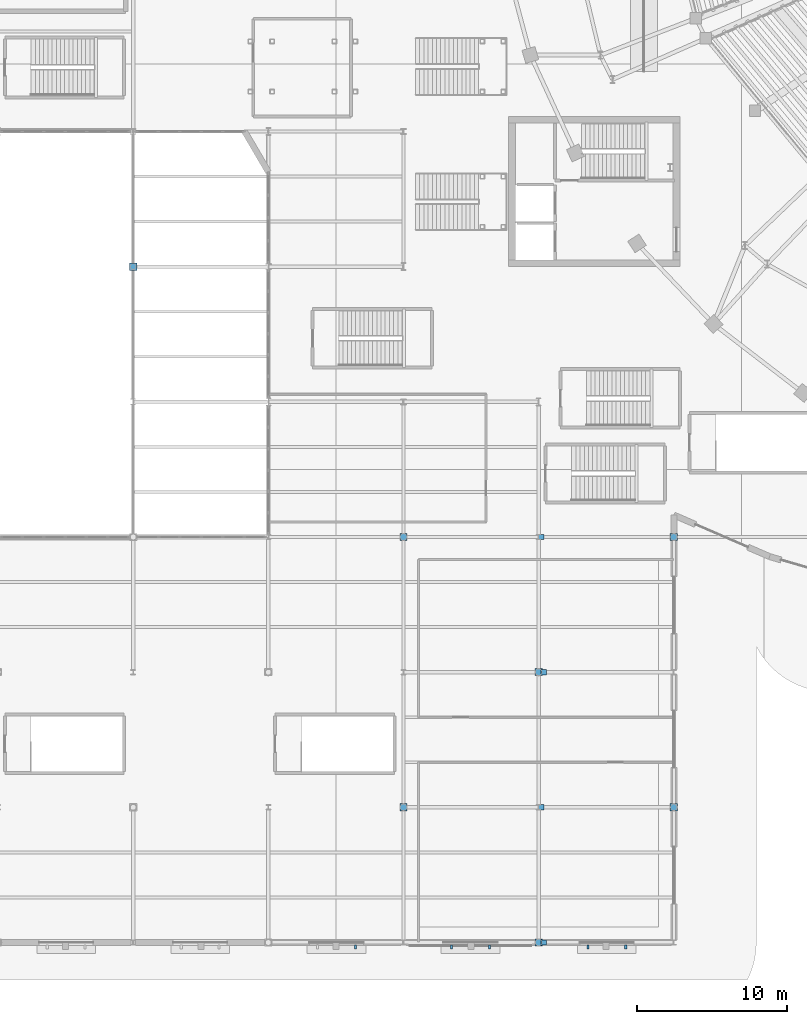
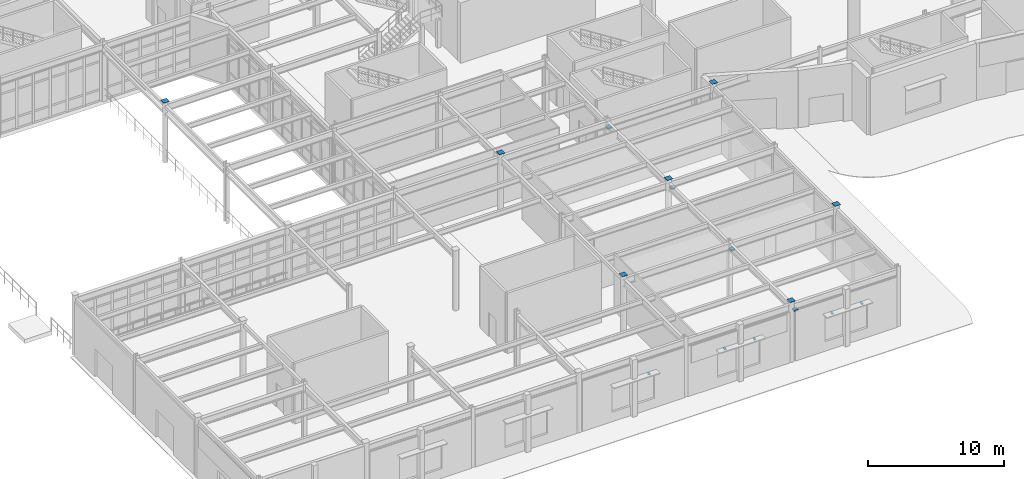
# One storey, part 61 of 79: 16 discrete accessories.
"""IFC4 building model written with IfcOpenShell, lengths in metres."""

import ifcopenshell
import ifcopenshell.guid

model = None  # the IFC model being written
_history = None  # IfcOwnerHistory: only IFC2X3 demands one
_inside = {}  # id of a spatial element -> (the spatial element, [elements in it])
_under = {}  # id of a project, library or spatial element -> (it, [spatial elements below it])
_declared = {}  # id of a project -> (the project, [libraries it declares])
_typed = {}  # id of a type object -> (the type object, [elements of that type])
_made_of = {}  # id of a material, layer set ... -> (it, [elements and type objects made of it])


def new_model(schema):
    """Start an empty IFC model of exactly this schema.

    Asked for "IFC4X3", IfcOpenShell would pick the latest addendum, in which some entities
    have other attributes; the version numbers below select the first issue.
    IFC2X3 requires an IfcOwnerHistory on every rooted entity: one is made here for all.
    """
    global model, _history
    if schema == "IFC4X3":
        model = ifcopenshell.file(schema_version=(4, 3, 0, 0))
    else:
        model = ifcopenshell.file(schema=schema)
    _inside.clear()
    _under.clear()
    _declared.clear()
    _typed.clear()
    _made_of.clear()
    _history = None
    if model.schema == "IFC2X3":
        org = make("IfcOrganization", Name="unknown")
        user = make(
            "IfcPersonAndOrganization",
            ThePerson=make("IfcPerson", FamilyName="unknown"),
            TheOrganization=org,
        )
        app = make(
            "IfcApplication",
            ApplicationDeveloper=org,
            Version="unknown",
            ApplicationFullName="unknown",
            ApplicationIdentifier="unknown",
        )
        _history = make(
            "IfcOwnerHistory",
            OwningUser=user,
            OwningApplication=app,
            ChangeAction="ADDED",
            CreationDate=0,
        )
    return model


def make(cls, **values):
    """One entity of the class cls with the attributes given. An attribute that is None is left unset."""
    return model.create_entity(
        cls, **{name: value for name, value in values.items() if value is not None}
    )


def rooted(cls, **values):
    """An entity with a GlobalId (a new one), such as an element, a storey or a relation."""
    return make(cls, GlobalId=ifcopenshell.guid.new(), OwnerHistory=_history, **values)


def si_unit(unit_type, name, prefix=None):
    """IfcSIUnit, for example si_unit("LENGTHUNIT", "METRE", prefix="MILLI")."""
    return make("IfcSIUnit", UnitType=unit_type, Prefix=prefix, Name=name)


def assignment(units):
    """IfcUnitAssignment: the units of a project."""
    return None if units is None else make("IfcUnitAssignment", Units=units)


def point(xyz):
    """IfcCartesianPoint."""
    return None if xyz is None else make("IfcCartesianPoint", Coordinates=xyz)


def direction(xyz):
    """IfcDirection."""
    return None if xyz is None else make("IfcDirection", DirectionRatios=xyz)


def frame(location, z_axis=None, x_axis=None):
    """IfcAxis2Placement3D, a coordinate frame: its origin and axes. An axis left out is left unset."""
    return make(
        "IfcAxis2Placement3D",
        Location=point(location),
        Axis=direction(z_axis),
        RefDirection=direction(x_axis),
    )


def frame_2d(location, x_axis=None):
    """IfcAxis2Placement2D, a coordinate frame in the plane: its origin and x axis."""
    return make(
        "IfcAxis2Placement2D", Location=point(location), RefDirection=direction(x_axis)
    )


def origin():
    """The frame at (0, 0, 0) with its axes left unset."""
    return frame((0.0, 0.0, 0.0))


def origin_2d():
    """The frame at (0, 0) in the plane with its x axis left unset."""
    return frame_2d((0.0, 0.0))


def place(relative_to, where):
    """IfcLocalPlacement: puts the frame where relative to a parent placement (None: the world)."""
    return make(
        "IfcLocalPlacement", PlacementRelTo=relative_to, RelativePlacement=where
    )


def context(
    kind, dimensions, precision=None, world=None, true_north=None, identifier=None
):
    """IfcGeometricRepresentationContext, for example the 3D "Model" context."""
    return make(
        "IfcGeometricRepresentationContext",
        ContextIdentifier=identifier,
        ContextType=kind,
        CoordinateSpaceDimension=dimensions,
        Precision=precision,
        WorldCoordinateSystem=world,
        TrueNorth=true_north,
    )


def subcontext(parent, identifier, kind, view, scale=None):
    """IfcGeometricRepresentationSubContext, for example "Body" below "Model"."""
    return make(
        "IfcGeometricRepresentationSubContext",
        ContextIdentifier=identifier,
        ContextType=kind,
        ParentContext=parent,
        TargetScale=scale,
        TargetView=view,
    )


def project(units=None, contexts=None):
    """IfcProject with its units and contexts."""
    return rooted(
        "IfcProject",
        Name="project",
        RepresentationContexts=contexts,
        UnitsInContext=assignment(units),
    )


def spatial(cls, under=None, at=None, **own):
    """A site, building, storey or space (cls), placed at a placement, below another one or the project."""
    s = rooted(cls, ObjectPlacement=at, **own)
    if under is not None:
        _under.setdefault(under.id(), (under, []))[1].append(s)
    return s


def profile(cls, at=None, kind="AREA", **sizes):
    """A parametric profile (cls). Its sizes go by their IFC names, for example OverallWidth=200.0."""
    return make(cls, ProfileType=kind, Position=at, **sizes)


def rectangle(**sizes):
    """IfcRectangleProfileDef."""
    return profile("IfcRectangleProfileDef", **sizes)


def extrude(swept, where, along, depth):
    """IfcExtrudedAreaSolid: the profile swept, set in the frame where, extruded along a direction by depth."""
    return make(
        "IfcExtrudedAreaSolid",
        SweptArea=swept,
        Position=where,
        ExtrudedDirection=direction(along),
        Depth=depth,
    )


def shape(context_of_items, identifier, shape_type, items):
    """IfcShapeRepresentation: the items that make up one representation, for example the "Body"."""
    return make(
        "IfcShapeRepresentation",
        ContextOfItems=context_of_items,
        RepresentationIdentifier=identifier,
        RepresentationType=shape_type,
        Items=items,
    )


def material(Name=None, Category=None):
    """IfcMaterial."""
    return make("IfcMaterial", Name=Name, Category=Category)


def made_of(thing, what):
    """Note that an element or type object is made of a material, layer set ...; save() writes the relation."""
    if what is not None:
        _made_of.setdefault(what.id(), (what, []))[1].append(thing)
    return thing


def type_object(cls, material=None, **own):
    """A type object (cls), such as IfcWallType, which elements share."""
    return made_of(rooted(cls, **own), material)


def element(
    cls,
    number,
    at=None,
    inside=None,
    cuts=None,
    type_object=None,
    material=None,
    context=None,
    identifier="Body",
    shape_type=None,
    held_by="IfcProductDefinitionShape",
    body=None,
    shapes=None,
    **own,
):
    """One element of the class cls, such as IfcWall. Its Tag is "e" and its number.

    at: its placement. inside: the storey or other place that contains it. cuts: it is an
    opening in that element (IfcRelVoidsElement). A single representation is given by context,
    identifier, shape_type and body (its items); several are given by shapes. held_by: the class
    of the entity that holds the representations. save() writes the other relations.
    """
    e = rooted(cls, Tag="e%d" % number, ObjectPlacement=at, **own)
    if body is not None:
        shapes = [shape(context, identifier, shape_type, body)]
    if shapes is not None:
        e.Representation = make(held_by, Representations=shapes)
    if inside is not None:
        _inside.setdefault(inside.id(), (inside, []))[1].append(e)
    if cuts is not None:
        rooted(
            "IfcRelVoidsElement", RelatingBuildingElement=cuts, RelatedOpeningElement=e
        )
    if type_object is not None:
        _typed.setdefault(type_object.id(), (type_object, []))[1].append(e)
    return made_of(e, material)


def aggregate(whole, parts):
    """IfcRelAggregates: a whole, such as a stair, and the parts it consists of."""
    return rooted("IfcRelAggregates", RelatingObject=whole, RelatedObjects=parts)


def save(model, path):
    """Write the relations noted so far, then the file.

    IfcRelAggregates (storeys below a building ...), IfcRelContainedInSpatialStructure (elements
    in a storey), IfcRelDefinesByType, IfcRelAssociatesMaterial and IfcRelDeclares: one each for
    every whole, place, type object, material and project.
    """
    for whole, parts in _under.values():
        aggregate(whole, parts)
    for where, things in _inside.values():
        rooted(
            "IfcRelContainedInSpatialStructure",
            RelatedElements=things,
            RelatingStructure=where,
        )
    for kind, things in _typed.values():
        rooted("IfcRelDefinesByType", RelatedObjects=things, RelatingType=kind)
    for what, things in _made_of.values():
        rooted("IfcRelAssociatesMaterial", RelatedObjects=things, RelatingMaterial=what)
    for by, libraries in _declared.values():
        rooted("IfcRelDeclares", RelatingContext=by, RelatedDefinitions=libraries)
    model.write(path)


model = new_model("IFC4")

# Units and contexts
model_context = context("Model", 3, precision=1e-05, world=origin(), true_north=direction((0.0, 1.0)))
body_context = subcontext(model_context, "Body", "Model", "MODEL_VIEW")
ifc_project = project(units=[si_unit("LENGTHUNIT", "METRE"), si_unit("AREAUNIT", "SQUARE_METRE"), si_unit("VOLUMEUNIT", "CUBIC_METRE"), si_unit("PLANEANGLEUNIT", "RADIAN"), si_unit("MASSUNIT", "GRAM", prefix="KILO")], contexts=[model_context])

# Site, building, storey
site_placement = place(None, origin())
site = spatial("IfcSite", under=ifc_project, at=site_placement, CompositionType="ELEMENT")
building_placement = place(site_placement, origin())
building = spatial("IfcBuilding", under=site, at=building_placement, Name="Glasvene Arena", CompositionType="ELEMENT")
storey_placement = place(building_placement, origin())
storey = spatial("IfcBuildingStorey", under=building, at=storey_placement, Name="L00", CompositionType="ELEMENT", Elevation=0.0)

# Discrete accessories
ifc_material_1 = material(Name="Steel S355J2", Category="steel")
discrete_accessory_type_1 = type_object("IfcDiscreteAccessoryType", Name="ACC-BRG-MJ1", PredefinedType="SHOE", material=ifc_material_1)
for number, where, z_axis, x_axis, name in (
    (1, (45.343505859375, 0.0, 4.3974609375), (0.0, 0.0, 1.0), (1.0, 0.0, 0.0), "Movement joint MJ-1 unguided sliding bearing BRG-MJ1 L00-0285"),
    (2, (45.169921875, 9.0, 4.3974609375), (0.0, 0.0, 1.0), (1.0, 0.0, 0.0), "Movement joint MJ-1 unguided sliding bearing BRG-MJ1 L00-0288"),
    (3, (45.343505859375, 18.0, 4.3974609375), (0.0, 0.0, 1.0), (1.0, 0.0, 0.0), "Movement joint MJ-1 unguided sliding bearing BRG-MJ1 L00-0291"),
    (4, (45.169921875, 27.0, 4.3974609375), (0.0, 0.0, 1.0), (1.0, 0.0, 0.0), "Movement joint MJ-1 unguided sliding bearing BRG-MJ1 L00-0297"),
):
    element("IfcDiscreteAccessory", number, at=place(storey_placement, frame(where, z_axis=z_axis, x_axis=x_axis)), inside=storey, type_object=discrete_accessory_type_1, Name=name, PredefinedType="SHOE", context=body_context, shape_type="SweptSolid", body=[
        extrude(rectangle(XDim=0.35009765625, YDim=0.35009765625, at=origin_2d()), origin(), (0.0, 0.0, 1.0), 0.1201171875),
    ])
discrete_accessory_type_2 = type_object("IfcDiscreteAccessoryType", Name="ACC-CAP-CHS420", PredefinedType="USERDEFINED", material=ifc_material_1)
for number, where, z_axis, x_axis, name in (
    (5, (18.0, 45.0, 5.39794921875), (0.0, 0.0, 1.0), (1.0, 0.0, 0.0), "Hollow column top cap plate 3-6 L00"),
    (6, (36.0, 9.0, 5.39794921875), (0.0, 0.0, 1.0), (1.0, 0.0, 0.0), "Hollow column top cap plate 5-2 L00"),
    (7, (36.0, 27.0, 5.39794921875), (0.0, 0.0, 1.0), (1.0, 0.0, 0.0), "Hollow column top cap plate 5-4 L00"),
    (8, (45.0, 0.0, 5.39794921875), (0.0, 0.0, 1.0), (1.0, 0.0, 0.0), "Hollow column top cap plate 6-1 L00"),
    (9, (45.0, 18.0, 5.39794921875), (0.0, 0.0, 1.0), (1.0, 0.0, 0.0), "Hollow column top cap plate 6-3 L00"),
    (10, (54.0, 9.0, 5.39794921875), (0.0, 0.0, 1.0), (1.0, 0.0, 0.0), "Hollow column top cap plate 7-2 L00"),
    (11, (54.0, 27.0, 5.39794921875), (0.0, 0.0, 1.0), (1.0, 0.0, 0.0), "Hollow column top cap plate 7-4 L00"),
):
    element("IfcDiscreteAccessory", number, at=place(storey_placement, frame(where, z_axis=z_axis, x_axis=x_axis)), inside=storey, type_object=discrete_accessory_type_2, Name=name, ObjectType="CAP PLATE", PredefinedType="USERDEFINED", context=body_context, shape_type="SweptSolid", body=[
        extrude(rectangle(XDim=0.47998046875, YDim=0.47998046875, at=origin_2d()), origin(), (0.0, 0.0, 1.0), 0.02001953125),
    ])
ifc_material_2 = material(Name="Warm bronze architectural aluminium", Category="aluminium")
discrete_accessory_type_3 = type_object("IfcDiscreteAccessoryType", Name="ACC-FIN-BRK", PredefinedType="BRACKET", material=ifc_material_2)
for number, where, z_axis, x_axis, name in (
    (12, (50.797119140625, -0.300048828125, 3.22021484375), (0.0, 0.0, 1.0), (-1.0, 0.0, 0.0), "Brise-soleil wall bracket BK-010"),
    (13, (48.277099609375, -0.300048828125, 3.22021484375), (0.0, 0.0, 1.0), (-1.0, 0.0, 0.0), "Brise-soleil wall bracket BK-010"),
    (14, (41.722900390625, -0.300048828125, 3.22021484375), (0.0, 0.0, 1.0), (-1.0, 0.0, 0.0), "Brise-soleil wall bracket BK-011"),
    (15, (39.202880859375, -0.300048828125, 3.22021484375), (0.0, 0.0, 1.0), (-1.0, 0.0, 0.0), "Brise-soleil wall bracket BK-011"),
    (16, (32.797119140625, -0.300048828125, 3.22021484375), (0.0, 0.0, 1.0), (-1.0, 0.0, 0.0), "Brise-soleil wall bracket BK-012"),
):
    element("IfcDiscreteAccessory", number, at=place(storey_placement, frame(where, z_axis=z_axis, x_axis=x_axis)), inside=storey, type_object=discrete_accessory_type_3, Name=name, PredefinedType="BRACKET", context=body_context, shape_type="SweptSolid", body=[
        extrude(rectangle(XDim=0.139892578125, YDim=0.239990234375, at=origin_2d()), origin(), (0.0, 0.0, 1.0), 0.139892578125),
    ])

save(model, "model.ifc")
